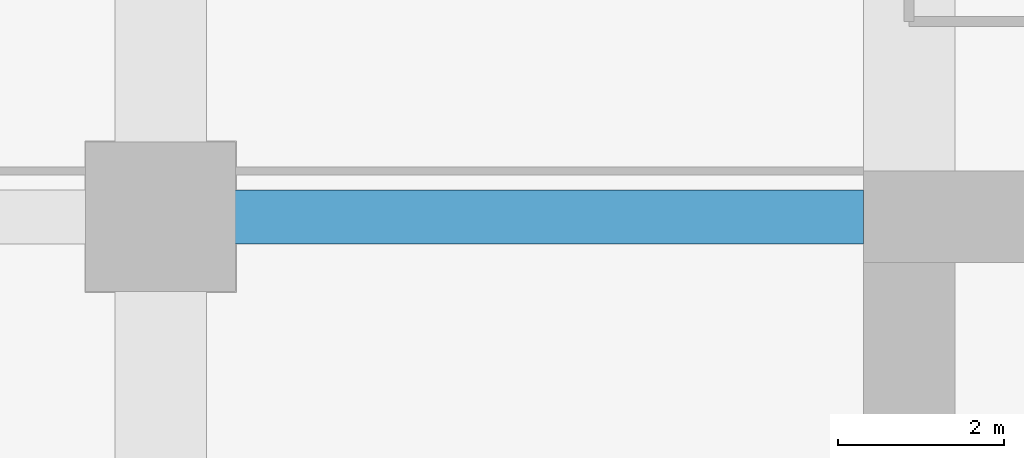
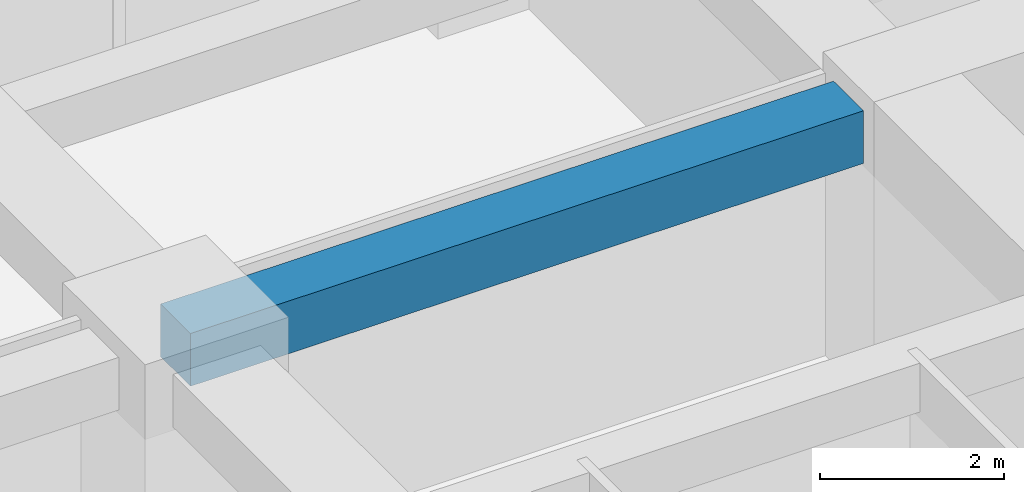
# One storey, part 25 of 39: 1 beam.
"""IFC4 building model written with IfcOpenShell, lengths in metres."""

import ifcopenshell
import ifcopenshell.guid

model = None  # the IFC model being written
_history = None  # IfcOwnerHistory: only IFC2X3 demands one
_inside = {}  # id of a spatial element -> (the spatial element, [elements in it])
_under = {}  # id of a project, library or spatial element -> (it, [spatial elements below it])
_declared = {}  # id of a project -> (the project, [libraries it declares])
_typed = {}  # id of a type object -> (the type object, [elements of that type])
_made_of = {}  # id of a material, layer set ... -> (it, [elements and type objects made of it])


def new_model(schema):
    """Start an empty IFC model of exactly this schema.

    Asked for "IFC4X3", IfcOpenShell would pick the latest addendum, in which some entities
    have other attributes; the version numbers below select the first issue.
    IFC2X3 requires an IfcOwnerHistory on every rooted entity: one is made here for all.
    """
    global model, _history
    if schema == "IFC4X3":
        model = ifcopenshell.file(schema_version=(4, 3, 0, 0))
    else:
        model = ifcopenshell.file(schema=schema)
    _inside.clear()
    _under.clear()
    _declared.clear()
    _typed.clear()
    _made_of.clear()
    _history = None
    if model.schema == "IFC2X3":
        org = make("IfcOrganization", Name="unknown")
        user = make(
            "IfcPersonAndOrganization",
            ThePerson=make("IfcPerson", FamilyName="unknown"),
            TheOrganization=org,
        )
        app = make(
            "IfcApplication",
            ApplicationDeveloper=org,
            Version="unknown",
            ApplicationFullName="unknown",
            ApplicationIdentifier="unknown",
        )
        _history = make(
            "IfcOwnerHistory",
            OwningUser=user,
            OwningApplication=app,
            ChangeAction="ADDED",
            CreationDate=0,
        )
    return model


def make(cls, **values):
    """One entity of the class cls with the attributes given. An attribute that is None is left unset."""
    return model.create_entity(
        cls, **{name: value for name, value in values.items() if value is not None}
    )


def rooted(cls, **values):
    """An entity with a GlobalId (a new one), such as an element, a storey or a relation."""
    return make(cls, GlobalId=ifcopenshell.guid.new(), OwnerHistory=_history, **values)


def si_unit(unit_type, name, prefix=None):
    """IfcSIUnit, for example si_unit("LENGTHUNIT", "METRE", prefix="MILLI")."""
    return make("IfcSIUnit", UnitType=unit_type, Prefix=prefix, Name=name)


def assignment(units):
    """IfcUnitAssignment: the units of a project."""
    return None if units is None else make("IfcUnitAssignment", Units=units)


def point(xyz):
    """IfcCartesianPoint."""
    return None if xyz is None else make("IfcCartesianPoint", Coordinates=xyz)


def direction(xyz):
    """IfcDirection."""
    return None if xyz is None else make("IfcDirection", DirectionRatios=xyz)


def frame(location, z_axis=None, x_axis=None):
    """IfcAxis2Placement3D, a coordinate frame: its origin and axes. An axis left out is left unset."""
    return make(
        "IfcAxis2Placement3D",
        Location=point(location),
        Axis=direction(z_axis),
        RefDirection=direction(x_axis),
    )


def frame_2d(location, x_axis=None):
    """IfcAxis2Placement2D, a coordinate frame in the plane: its origin and x axis."""
    return make(
        "IfcAxis2Placement2D", Location=point(location), RefDirection=direction(x_axis)
    )


def origin():
    """The frame at (0, 0, 0) with its axes left unset."""
    return frame((0.0, 0.0, 0.0))


def origin_2d():
    """The frame at (0, 0) in the plane with its x axis left unset."""
    return frame_2d((0.0, 0.0))


def place(relative_to, where):
    """IfcLocalPlacement: puts the frame where relative to a parent placement (None: the world)."""
    return make(
        "IfcLocalPlacement", PlacementRelTo=relative_to, RelativePlacement=where
    )


def context(
    kind, dimensions, precision=None, world=None, true_north=None, identifier=None
):
    """IfcGeometricRepresentationContext, for example the 3D "Model" context."""
    return make(
        "IfcGeometricRepresentationContext",
        ContextIdentifier=identifier,
        ContextType=kind,
        CoordinateSpaceDimension=dimensions,
        Precision=precision,
        WorldCoordinateSystem=world,
        TrueNorth=true_north,
    )


def subcontext(parent, identifier, kind, view, scale=None):
    """IfcGeometricRepresentationSubContext, for example "Body" below "Model"."""
    return make(
        "IfcGeometricRepresentationSubContext",
        ContextIdentifier=identifier,
        ContextType=kind,
        ParentContext=parent,
        TargetScale=scale,
        TargetView=view,
    )


def project(units=None, contexts=None):
    """IfcProject with its units and contexts."""
    return rooted(
        "IfcProject",
        Name="project",
        RepresentationContexts=contexts,
        UnitsInContext=assignment(units),
    )


def spatial(cls, under=None, at=None, **own):
    """A site, building, storey or space (cls), placed at a placement, below another one or the project."""
    s = rooted(cls, ObjectPlacement=at, **own)
    if under is not None:
        _under.setdefault(under.id(), (under, []))[1].append(s)
    return s


def profile(cls, at=None, kind="AREA", **sizes):
    """A parametric profile (cls). Its sizes go by their IFC names, for example OverallWidth=200.0."""
    return make(cls, ProfileType=kind, Position=at, **sizes)


def rectangle(**sizes):
    """IfcRectangleProfileDef."""
    return profile("IfcRectangleProfileDef", **sizes)


def extrude(swept, where, along, depth):
    """IfcExtrudedAreaSolid: the profile swept, set in the frame where, extruded along a direction by depth."""
    return make(
        "IfcExtrudedAreaSolid",
        SweptArea=swept,
        Position=where,
        ExtrudedDirection=direction(along),
        Depth=depth,
    )


def shape(context_of_items, identifier, shape_type, items):
    """IfcShapeRepresentation: the items that make up one representation, for example the "Body"."""
    return make(
        "IfcShapeRepresentation",
        ContextOfItems=context_of_items,
        RepresentationIdentifier=identifier,
        RepresentationType=shape_type,
        Items=items,
    )


def material(Name=None, Category=None):
    """IfcMaterial."""
    return make("IfcMaterial", Name=Name, Category=Category)


def material_profile(
    of_material, cross_section, Name=None, Category=None, Priority=None
):
    """IfcMaterialProfile: a cross section and its material."""
    return make(
        "IfcMaterialProfile",
        Name=Name,
        Material=of_material,
        Profile=cross_section,
        Priority=Priority,
        Category=Category,
    )


def profile_set(profiles, Name=None, composite=None):
    """IfcMaterialProfileSet."""
    return make(
        "IfcMaterialProfileSet",
        Name=Name,
        MaterialProfiles=profiles,
        CompositeProfile=composite,
    )


def made_of(thing, what):
    """Note that an element or type object is made of a material, layer set ...; save() writes the relation."""
    if what is not None:
        _made_of.setdefault(what.id(), (what, []))[1].append(thing)
    return thing


def type_object(cls, material=None, **own):
    """A type object (cls), such as IfcWallType, which elements share."""
    return made_of(rooted(cls, **own), material)


def element(
    cls,
    number,
    at=None,
    inside=None,
    cuts=None,
    type_object=None,
    material=None,
    context=None,
    identifier="Body",
    shape_type=None,
    held_by="IfcProductDefinitionShape",
    body=None,
    shapes=None,
    **own,
):
    """One element of the class cls, such as IfcWall. Its Tag is "e" and its number.

    at: its placement. inside: the storey or other place that contains it. cuts: it is an
    opening in that element (IfcRelVoidsElement). A single representation is given by context,
    identifier, shape_type and body (its items); several are given by shapes. held_by: the class
    of the entity that holds the representations. save() writes the other relations.
    """
    e = rooted(cls, Tag="e%d" % number, ObjectPlacement=at, **own)
    if body is not None:
        shapes = [shape(context, identifier, shape_type, body)]
    if shapes is not None:
        e.Representation = make(held_by, Representations=shapes)
    if inside is not None:
        _inside.setdefault(inside.id(), (inside, []))[1].append(e)
    if cuts is not None:
        rooted(
            "IfcRelVoidsElement", RelatingBuildingElement=cuts, RelatedOpeningElement=e
        )
    if type_object is not None:
        _typed.setdefault(type_object.id(), (type_object, []))[1].append(e)
    return made_of(e, material)


def aggregate(whole, parts):
    """IfcRelAggregates: a whole, such as a stair, and the parts it consists of."""
    return rooted("IfcRelAggregates", RelatingObject=whole, RelatedObjects=parts)


def save(model, path):
    """Write the relations noted so far, then the file.

    IfcRelAggregates (storeys below a building ...), IfcRelContainedInSpatialStructure (elements
    in a storey), IfcRelDefinesByType, IfcRelAssociatesMaterial and IfcRelDeclares: one each for
    every whole, place, type object, material and project.
    """
    for whole, parts in _under.values():
        aggregate(whole, parts)
    for where, things in _inside.values():
        rooted(
            "IfcRelContainedInSpatialStructure",
            RelatedElements=things,
            RelatingStructure=where,
        )
    for kind, things in _typed.values():
        rooted("IfcRelDefinesByType", RelatedObjects=things, RelatingType=kind)
    for what, things in _made_of.values():
        rooted("IfcRelAssociatesMaterial", RelatedObjects=things, RelatingMaterial=what)
    for by, libraries in _declared.values():
        rooted("IfcRelDeclares", RelatingContext=by, RelatedDefinitions=libraries)
    model.write(path)


model = new_model("IFC4")

# Units and contexts
model_context = context("Model", 3, precision=1e-05, world=origin(), true_north=direction((0.0, 1.0)))
body_context = subcontext(model_context, "Body", "Model", "MODEL_VIEW")
ifc_project = project(units=[si_unit("LENGTHUNIT", "METRE"), si_unit("AREAUNIT", "SQUARE_METRE"), si_unit("VOLUMEUNIT", "CUBIC_METRE"), si_unit("PLANEANGLEUNIT", "RADIAN"), si_unit("MASSUNIT", "GRAM", prefix="KILO")], contexts=[model_context])

# Site, building, storey
site_placement = place(None, origin())
site = spatial("IfcSite", under=ifc_project, at=site_placement, CompositionType="ELEMENT")
building_placement = place(site_placement, origin())
building = spatial("IfcBuilding", under=site, at=building_placement, Name="Zorevar Civic Tower", CompositionType="ELEMENT")
storey_placement = place(building_placement, frame((0.0, 0.0, 125.0)))
storey = spatial("IfcBuildingStorey", under=building, at=storey_placement, Name="L30", CompositionType="ELEMENT", Elevation=125.0)

# Beam
ifc_material = material(Name="Concrete C50/60", Category="concrete")
ifc_material_profile = material_profile(ifc_material, rectangle(XDim=0.64990234375, YDim=0.699951171875, at=origin_2d()), Name="RC 650x700")
ifc_profile_set = profile_set([ifc_material_profile], Name="Concrete C50/60")
beam_type = type_object("IfcBeamType", Name="Beam RC 650x700", PredefinedType="BEAM", material=ifc_profile_set)
beam_placement = place(storey_placement, frame((9.0, 36.0, 3.39990234375), z_axis=(1.0, 0.0, 0.0), x_axis=(0.0, 1.0, 0.0)))
element("IfcBeam", 1, at=beam_placement, inside=storey, type_object=beam_type, Name="Girder L31", PredefinedType="BEAM", context=body_context, shape_type="SweptSolid", body=[
    extrude(rectangle(XDim=0.64990234375, YDim=0.699951171875, at=origin_2d()), origin(), (0.0, 0.0, 1.0), 8.449951171875),
])

save(model, "model.ifc")
